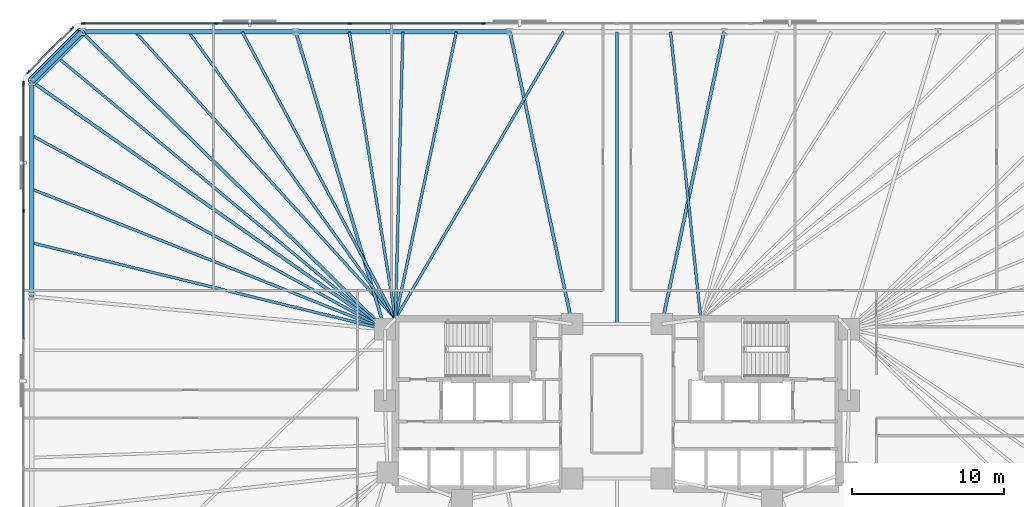
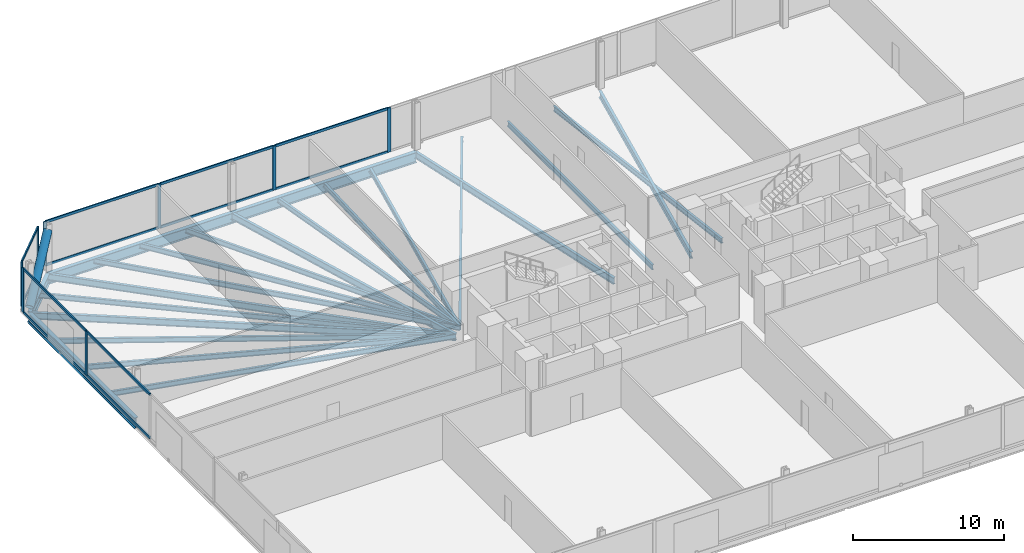
# One storey, part 8 of 17: 22 beams, 21 members, 3 elements without a shape of their own.
"""IFC4 building model written with IfcOpenShell, lengths in metres."""

from ifc_helpers import new_model, si_unit, direction, frame, origin, origin_2d, place, context, subcontext, project, spatial, rectangle, hollow_circle, i_section, extrude, material, material_profile, profile_set, type_object, element, aggregate, save


model = new_model("IFC4")

# Units and contexts
model_context = context("Model", 3, precision=1e-05, world=origin(), true_north=direction((0.0, 1.0)))
body_context = subcontext(model_context, "Body", "Model", "MODEL_VIEW")
ifc_project = project(units=[si_unit("LENGTHUNIT", "METRE"), si_unit("AREAUNIT", "SQUARE_METRE"), si_unit("VOLUMEUNIT", "CUBIC_METRE"), si_unit("PLANEANGLEUNIT", "RADIAN"), si_unit("MASSUNIT", "GRAM", prefix="KILO")], contexts=[model_context])

# Site, building, storey
site_placement = place(None, origin())
site = spatial("IfcSite", under=ifc_project, at=site_placement, CompositionType="ELEMENT")
building_placement = place(site_placement, origin())
building = spatial("IfcBuilding", under=site, at=building_placement, Name="Menara Jurai Vektor", CompositionType="ELEMENT")
storey_placement = place(building_placement, frame((0.0, 0.0, 44.60009765625)))
storey = spatial("IfcBuildingStorey", under=building, at=storey_placement, Name="L10", CompositionType="ELEMENT", Elevation=44.60009765625)

# Curtain wall, members
ifc_material_1 = material(Name="Anodised Pale Aluminium & Low-E Double Glazing", Category="aluminium")
curtain_wall_type = type_object("IfcCurtainWallType", Name="CW-BLK1", PredefinedType="NOTDEFINED", material=ifc_material_1)
curtain_wall_1_placement = place(storey_placement, origin())
curtain_wall_1 = element("IfcCurtainWall", 1, at=curtain_wall_1_placement, inside=storey, type_object=curtain_wall_type, Name="Unitised Curtain Wall L10 F05", PredefinedType="NOTDEFINED")
ifc_material_2 = material(Name="Anodised Pale Aluminium Mullion", Category="aluminium")
ifc_material_profile_1 = material_profile(ifc_material_2, rectangle(XDim=0.094970703125, YDim=0.239990234375, at=origin_2d()), Name="ALU MUL 95x240")
ifc_profile_set_1 = profile_set([ifc_material_profile_1], Name="Anodised Pale Aluminium Mullion")
member_type_1 = type_object("IfcMemberType", Name="CW-BLK1-MUL", PredefinedType="MULLION", material=ifc_profile_set_1)
member_1_placement = place(storey_placement, frame((-8.780029296875, 25.0, 0.0), z_axis=(0.0, 0.0, 1.0), x_axis=(0.0, -1.0, 0.0)))
member_1 = element("IfcMember", 2, at=member_1_placement, type_object=member_type_1, Name="CW-01 mullion 6", PredefinedType="MULLION", context=body_context, shape_type="SweptSolid", body=[
    extrude(rectangle(XDim=0.094970703125, YDim=0.239990234375, at=origin_2d()), origin(), (0.0, 0.0, 1.0), 3.574951171875),
])
member_2_placement = place(storey_placement, frame((-17.56005859375, 25.0, 0.0), z_axis=(0.0, 0.0, 1.0), x_axis=(0.0, -1.0, 0.0)))
member_2 = element("IfcMember", 3, at=member_2_placement, type_object=member_type_1, Name="CW-01 mullion 7", PredefinedType="MULLION", context=body_context, shape_type="SweptSolid", body=[
    extrude(rectangle(XDim=0.094970703125, YDim=0.239990234375, at=origin_2d()), origin(), (0.0, 0.0, 1.0), 3.574951171875),
])
member_3_placement = place(storey_placement, frame((-26.340087890625, 25.0, 0.0), z_axis=(0.0, 0.0, 1.0), x_axis=(0.0, -1.0, 0.0)))
member_3 = element("IfcMember", 4, at=member_3_placement, type_object=member_type_1, Name="CW-01 mullion 8", PredefinedType="MULLION", context=body_context, shape_type="SweptSolid", body=[
    extrude(rectangle(XDim=0.094970703125, YDim=0.239990234375, at=origin_2d()), origin(), (0.0, 0.0, 1.0), 3.574951171875),
])
member_4_placement = place(storey_placement, frame((-35.072509765625, 25.0, 0.0), z_axis=(0.0, 0.0, 1.0), x_axis=(0.0, -1.0, 0.0)))
member_4 = element("IfcMember", 5, at=member_4_placement, type_object=member_type_1, Name="CW-01 mullion 9", PredefinedType="MULLION", context=body_context, shape_type="SweptSolid", body=[
    extrude(rectangle(XDim=0.094970703125, YDim=0.239990234375, at=origin_2d()), origin(), (0.0, 0.0, 1.0), 3.574951171875),
])

curtain_wall_2_placement = place(storey_placement, origin())
curtain_wall_2 = element("IfcCurtainWall", 6, at=curtain_wall_2_placement, inside=storey, type_object=curtain_wall_type, Name="Unitised Curtain Wall L10 F06", PredefinedType="NOTDEFINED")
member_5_placement = place(storey_placement, frame((-35.80224609375, 24.69775390625, 0.0), z_axis=(0.0, 0.0, 1.0), x_axis=(0.707106781187, -0.707106781187, 0.0)))
member_5 = element("IfcMember", 7, at=member_5_placement, type_object=member_type_1, Name="CW-01 mullion 1", PredefinedType="MULLION", context=body_context, shape_type="SweptSolid", body=[
    extrude(rectangle(XDim=0.094970703125, YDim=0.239990234375, at=origin_2d()), origin(), (0.0, 0.0, 1.0), 3.574951171875),
])
member_6_placement = place(storey_placement, frame((-38.69775390625, 21.80224609375, 0.0), z_axis=(0.0, 0.0, 1.0), x_axis=(0.707106781187, -0.707106781187, 0.0)))
member_6 = element("IfcMember", 8, at=member_6_placement, type_object=member_type_1, Name="CW-01 mullion 2", PredefinedType="MULLION", context=body_context, shape_type="SweptSolid", body=[
    extrude(rectangle(XDim=0.094970703125, YDim=0.239990234375, at=origin_2d()), origin(), (0.0, 0.0, 1.0), 3.574951171875),
])

curtain_wall_3_placement = place(storey_placement, origin())
curtain_wall_3 = element("IfcCurtainWall", 9, at=curtain_wall_3_placement, inside=storey, type_object=curtain_wall_type, Name="Unitised Curtain Wall L10 F07", PredefinedType="NOTDEFINED")
member_7_placement = place(storey_placement, frame((-39.0, 21.072509765625, 0.0), z_axis=(0.0, 0.0, 1.0), x_axis=(1.0, 0.0, 0.0)))
member_7 = element("IfcMember", 10, at=member_7_placement, type_object=member_type_1, Name="CW-01 mullion 1", PredefinedType="MULLION", context=body_context, shape_type="SweptSolid", body=[
    extrude(rectangle(XDim=0.094970703125, YDim=0.239990234375, at=origin_2d()), origin(), (0.0, 0.0, 1.0), 3.574951171875),
])
member_8_placement = place(storey_placement, frame((-39.0, 12.672119140625, 0.0), z_axis=(0.0, 0.0, 1.0), x_axis=(1.0, 0.0, 0.0)))
member_8 = element("IfcMember", 11, at=member_8_placement, type_object=member_type_1, Name="CW-01 mullion 2", PredefinedType="MULLION", context=body_context, shape_type="SweptSolid", body=[
    extrude(rectangle(XDim=0.094970703125, YDim=0.239990234375, at=origin_2d()), origin(), (0.0, 0.0, 1.0), 3.574951171875),
])

# Member
ifc_material_3 = material(Name="Anodised Pale Aluminium Transom", Category="aluminium")
ifc_material_profile_2 = material_profile(ifc_material_3, rectangle(XDim=0.094970703125, YDim=0.199951171875, at=origin_2d()), Name="ALU TRN 95x200")
ifc_profile_set_2 = profile_set([ifc_material_profile_2], Name="Anodised Pale Aluminium Transom")
member_type_2 = type_object("IfcMemberType", Name="CW-BLK1-TRN", PredefinedType="USERDEFINED", material=ifc_profile_set_2)
member_9_placement = place(storey_placement, frame((-8.827392578125, 25.0, 0.04736328125), z_axis=(-1.0, 0.0, 0.0), x_axis=(0.0, -1.0, 0.0)))
member_9 = element("IfcMember", 12, at=member_9_placement, type_object=member_type_2, Name="CW-01 transom 6.1", ObjectType="TRANSOM", PredefinedType="USERDEFINED", context=body_context, shape_type="SweptSolid", body=[
    extrude(rectangle(XDim=0.094970703125, YDim=0.199951171875, at=origin_2d()), origin(), (0.0, 0.0, 1.0), 8.68505859375),
])

member_10_placement = place(storey_placement, frame((-8.827392578125, 25.0, 3.52734375), z_axis=(-1.0, 0.0, 0.0), x_axis=(0.0, -1.0, 0.0)))
member_10 = element("IfcMember", 13, at=member_10_placement, type_object=member_type_2, Name="CW-01 transom 6.2", ObjectType="TRANSOM", PredefinedType="USERDEFINED", context=body_context, shape_type="SweptSolid", body=[
    extrude(rectangle(XDim=0.094970703125, YDim=0.199951171875, at=origin_2d()), origin(), (0.0, 0.0, 1.0), 8.68505859375),
])

member_11_placement = place(storey_placement, frame((-17.607421875, 25.0, 0.04736328125), z_axis=(-1.0, 0.0, 0.0), x_axis=(0.0, -1.0, 0.0)))
member_11 = element("IfcMember", 14, at=member_11_placement, type_object=member_type_2, Name="CW-01 transom 7.1", ObjectType="TRANSOM", PredefinedType="USERDEFINED", context=body_context, shape_type="SweptSolid", body=[
    extrude(rectangle(XDim=0.094970703125, YDim=0.199951171875, at=origin_2d()), origin(), (0.0, 0.0, 1.0), 8.68505859375),
])

member_12_placement = place(storey_placement, frame((-17.607421875, 25.0, 3.52734375), z_axis=(-1.0, 0.0, 0.0), x_axis=(0.0, -1.0, 0.0)))
member_12 = element("IfcMember", 15, at=member_12_placement, type_object=member_type_2, Name="CW-01 transom 7.2", ObjectType="TRANSOM", PredefinedType="USERDEFINED", context=body_context, shape_type="SweptSolid", body=[
    extrude(rectangle(XDim=0.094970703125, YDim=0.199951171875, at=origin_2d()), origin(), (0.0, 0.0, 1.0), 8.68505859375),
])

member_13_placement = place(storey_placement, frame((-26.387451171875, 25.0, 0.04736328125), z_axis=(-1.0, 0.0, 0.0), x_axis=(0.0, -1.0, 0.0)))
member_13 = element("IfcMember", 16, at=member_13_placement, type_object=member_type_2, Name="CW-01 transom 8.1", ObjectType="TRANSOM", PredefinedType="USERDEFINED", context=body_context, shape_type="SweptSolid", body=[
    extrude(rectangle(XDim=0.094970703125, YDim=0.199951171875, at=origin_2d()), origin(), (0.0, 0.0, 1.0), 8.637451171875),
])

member_14_placement = place(storey_placement, frame((-26.387451171875, 25.0, 3.52734375), z_axis=(-1.0, 0.0, 0.0), x_axis=(0.0, -1.0, 0.0)))
member_14 = element("IfcMember", 17, at=member_14_placement, type_object=member_type_2, Name="CW-01 transom 8.2", ObjectType="TRANSOM", PredefinedType="USERDEFINED", context=body_context, shape_type="SweptSolid", body=[
    extrude(rectangle(XDim=0.094970703125, YDim=0.199951171875, at=origin_2d()), origin(), (0.0, 0.0, 1.0), 8.637451171875),
])

aggregate(curtain_wall_1, [member_1, member_2, member_3, member_4, member_9, member_10, member_11, member_12, member_13, member_14])

member_15_placement = place(storey_placement, frame((-35.8359375, 24.6640625, 0.04736328125), z_axis=(-0.707106781187, -0.707106781187, 0.0), x_axis=(0.707106781187, -0.707106781187, 0.0)))
member_15 = element("IfcMember", 18, at=member_15_placement, type_object=member_type_2, Name="CW-01 transom 1.1", ObjectType="TRANSOM", PredefinedType="USERDEFINED", context=body_context, shape_type="SweptSolid", body=[
    extrude(rectangle(XDim=0.094970703125, YDim=0.199951171875, at=origin_2d()), origin(), (0.0, 0.0, 1.0), 3.99951171875),
])

member_16_placement = place(storey_placement, frame((-35.8359375, 24.6640625, 3.52734375), z_axis=(-0.707106781187, -0.707106781187, 0.0), x_axis=(0.707106781187, -0.707106781187, 0.0)))
member_16 = element("IfcMember", 19, at=member_16_placement, type_object=member_type_2, Name="CW-01 transom 1.2", ObjectType="TRANSOM", PredefinedType="USERDEFINED", context=body_context, shape_type="SweptSolid", body=[
    extrude(rectangle(XDim=0.094970703125, YDim=0.199951171875, at=origin_2d()), origin(), (0.0, 0.0, 1.0), 3.99951171875),
])

aggregate(curtain_wall_2, [member_5, member_6, member_15, member_16])

member_17_placement = place(storey_placement, frame((-39.0, 21.02490234375, 0.04736328125), z_axis=(0.0, -1.0, 0.0), x_axis=(1.0, 0.0, 0.0)))
member_17 = element("IfcMember", 20, at=member_17_placement, type_object=member_type_2, Name="CW-01 transom 1.1", ObjectType="TRANSOM", PredefinedType="USERDEFINED", context=body_context, shape_type="SweptSolid", body=[
    extrude(rectangle(XDim=0.094970703125, YDim=0.199951171875, at=origin_2d()), origin(), (0.0, 0.0, 1.0), 8.305419921875),
])

member_18_placement = place(storey_placement, frame((-39.0, 21.02490234375, 3.52734375), z_axis=(0.0, -1.0, 0.0), x_axis=(1.0, 0.0, 0.0)))
member_18 = element("IfcMember", 21, at=member_18_placement, type_object=member_type_2, Name="CW-01 transom 1.2", ObjectType="TRANSOM", PredefinedType="USERDEFINED", context=body_context, shape_type="SweptSolid", body=[
    extrude(rectangle(XDim=0.094970703125, YDim=0.199951171875, at=origin_2d()), origin(), (0.0, 0.0, 1.0), 8.305419921875),
])

member_19_placement = place(storey_placement, frame((-39.0, 12.62451171875, 0.04736328125), z_axis=(0.0, -1.0, 0.0), x_axis=(1.0, 0.0, 0.0)))
member_19 = element("IfcMember", 22, at=member_19_placement, type_object=member_type_2, Name="CW-01 transom 2.1", ObjectType="TRANSOM", PredefinedType="USERDEFINED", context=body_context, shape_type="SweptSolid", body=[
    extrude(rectangle(XDim=0.094970703125, YDim=0.199951171875, at=origin_2d()), origin(), (0.0, 0.0, 1.0), 8.35302734375),
])

member_20_placement = place(storey_placement, frame((-39.0, 12.62451171875, 3.52734375), z_axis=(0.0, -1.0, 0.0), x_axis=(1.0, 0.0, 0.0)))
member_20 = element("IfcMember", 23, at=member_20_placement, type_object=member_type_2, Name="CW-01 transom 2.2", ObjectType="TRANSOM", PredefinedType="USERDEFINED", context=body_context, shape_type="SweptSolid", body=[
    extrude(rectangle(XDim=0.094970703125, YDim=0.199951171875, at=origin_2d()), origin(), (0.0, 0.0, 1.0), 8.35302734375),
])

aggregate(curtain_wall_3, [member_7, member_8, member_17, member_18, member_19, member_20])

# Beams
ifc_material_4 = material(Name="Steel S355", Category="steel")
ifc_material_profile_3 = material_profile(ifc_material_4, i_section(OverallWidth=0.2109375, OverallDepth=0.5390625, WebThickness=0.011962890625, FlangeThickness=0.01904296875, FilletRadius=0.012939453125, at=origin_2d()), Name="UKB 533x210x109")
ifc_profile_set_3 = profile_set([ifc_material_profile_3], Name="Steel S355")
beam_type_1 = type_object("IfcBeamType", Name="STR-BM-533", PredefinedType="BEAM", material=ifc_profile_set_3)
for number, where, z_axis, x_axis, name in (
    (24, (7.03564453125, 24.449951171875, -0.49462890625), (-0.2081367579, -0.978099734184, 0.0), (0.978099734184, -0.2081367579, 0.0), "Radial Floor Girder L10-N3"),
    (25, (-7.03564453125, 24.449951171875, -0.49462890625), (0.2081367579, -0.978099734184, 0.0), (0.978099734184, 0.2081367579, 0.0), "Radial Floor Girder L10-N4"),
):
    element("IfcBeam", number, at=place(storey_placement, frame(where, z_axis=z_axis, x_axis=x_axis)), inside=storey, type_object=beam_type_1, Name=name, PredefinedType="BEAM", context=body_context, shape_type="SweptSolid", body=[
        extrude(i_section(OverallWidth=0.2109375, OverallDepth=0.5390625, WebThickness=0.011962890625, FlangeThickness=0.01904296875, FilletRadius=0.012939453125, at=origin_2d()), origin(), (0.0, 0.0, 1.0), 19.6298828125),
    ])
beam_1_placement = place(storey_placement, frame((-21.106689453125, 24.449951171875, -0.49462890625), z_axis=(0.286973617166, -0.957938486047, 0.0), x_axis=(0.957938486047, 0.286973617166, 0.0)))
element("IfcBeam", 26, at=beam_1_placement, inside=storey, type_object=beam_type_1, Name="Radial Floor Girder L10-N5", PredefinedType="BEAM", context=body_context, shape_type="SweptSolid", body=[
    extrude(i_section(OverallWidth=0.2109375, OverallDepth=0.5390625, WebThickness=0.011962890625, FlangeThickness=0.01904296875, FilletRadius=0.012939453125, at=origin_2d()), origin(), (0.0, 0.0, 1.0), 20.408447265625),
])
beam_2_placement = place(storey_placement, frame((-35.177734375, 24.449951171875, -0.49462890625), z_axis=(0.713839032855, -0.700309813706, 0.0), x_axis=(0.700309813706, 0.713839032855, 0.0)))
element("IfcBeam", 27, at=beam_2_placement, inside=storey, type_object=beam_type_1, Name="Radial Floor Girder L10-N6", PredefinedType="BEAM", context=body_context, shape_type="SweptSolid", body=[
    extrude(i_section(OverallWidth=0.2109375, OverallDepth=0.5390625, WebThickness=0.011962890625, FlangeThickness=0.01904296875, FilletRadius=0.012939453125, at=origin_2d()), origin(), (0.0, 0.0, 1.0), 27.916259765625),
])
beam_3_placement = place(storey_placement, frame((-38.449951171875, 21.177734375, -0.49462890625), z_axis=(0.818603732445, -0.574358711283, 0.0), x_axis=(0.574358711283, 0.818603732445, 0.0)))
element("IfcBeam", 28, at=beam_3_placement, inside=storey, type_object=beam_type_1, Name="Radial Floor Girder L10-W1", PredefinedType="BEAM", context=body_context, shape_type="SweptSolid", body=[
    extrude(i_section(OverallWidth=0.2109375, OverallDepth=0.5390625, WebThickness=0.011962890625, FlangeThickness=0.01904296875, FilletRadius=0.012939453125, at=origin_2d()), origin(), (0.0, 0.0, 1.0), 28.3408203125),
])

# Member
ifc_material_5 = material(Name="Steel S460", Category="steel")
ifc_material_profile_4 = material_profile(ifc_material_5, hollow_circle(Radius=0.304931640625, WallThickness=0.02490234375, at=origin_2d()), Name="CHS 610x25")
ifc_profile_set_4 = profile_set([ifc_material_profile_4], Name="Steel S460")
member_type_3 = type_object("IfcMemberType", Name="STR-BR-610", PredefinedType="BRACE", material=ifc_profile_set_4)
member_21_placement = place(storey_placement, frame((-38.449951171875, 21.177734375, 0.14990234375), z_axis=(0.588942422958, 0.588942422958, 0.553438022619), x_axis=(-0.707106781187, 0.707106781187, 0.0)))
element("IfcMember", 29, at=member_21_placement, inside=storey, type_object=member_type_3, Name="Exoskeleton Corner Brace L10-3", PredefinedType="BRACE", context=body_context, shape_type="SweptSolid", body=[
    extrude(hollow_circle(Radius=0.304931640625, WallThickness=0.02490234375, at=origin_2d()), origin(), (0.0, 0.0, 1.0), 5.55615234375),
])

# Beams
ifc_material_profile_5 = material_profile(ifc_material_4, i_section(OverallWidth=0.178955078125, OverallDepth=0.408935546875, WebThickness=0.009033203125, FlangeThickness=0.013916015625, FilletRadius=0.010009765625, at=origin_2d()), Name="UKB 406x178x67")
ifc_profile_set_5 = profile_set([ifc_material_profile_5], Name="Steel S355")
beam_type_2 = type_object("IfcBeamType", Name="STR-JS-406", PredefinedType="JOIST", material=ifc_profile_set_5)
beam_4_placement = place(storey_placement, frame((3.517822265625, 24.449951171875, -0.4296875), z_axis=(0.104579513969, -0.994516528399, 0.0), x_axis=(0.994516528399, 0.104579513969, 0.0)))
element("IfcBeam", 30, at=beam_4_placement, inside=storey, type_object=beam_type_2, Name="Radial Secondary Floor Joist L10-JS22", PredefinedType="JOIST", context=body_context, shape_type="SweptSolid", body=[
    extrude(i_section(OverallWidth=0.178955078125, OverallDepth=0.408935546875, WebThickness=0.009033203125, FlangeThickness=0.013916015625, FilletRadius=0.010009765625, at=origin_2d()), origin(), (0.0, 0.0, 1.0), 18.953857421875),
])
beam_5_placement = place(storey_placement, frame((0.0, 24.449951171875, -0.4296875), z_axis=(0.0, -1.0, 0.0), x_axis=(1.0, 0.0, 0.0)))
element("IfcBeam", 31, at=beam_5_placement, inside=storey, type_object=beam_type_2, Name="Radial Secondary Floor Joist L10-JS23", PredefinedType="JOIST", context=body_context, shape_type="SweptSolid", body=[
    extrude(i_section(OverallWidth=0.178955078125, OverallDepth=0.408935546875, WebThickness=0.009033203125, FlangeThickness=0.013916015625, FilletRadius=0.010009765625, at=origin_2d()), origin(), (0.0, 0.0, 1.0), 19.199951171875),
])
beam_6_placement = place(storey_placement, frame((-3.517822265625, 24.449951171875, -0.4296875), z_axis=(-0.505457909797, -0.862851262631, 0.0), x_axis=(0.862851262631, -0.505457909797, 0.0)))
element("IfcBeam", 32, at=beam_6_placement, inside=storey, type_object=beam_type_2, Name="Radial Secondary Floor Joist L10-JS24", PredefinedType="JOIST", context=body_context, shape_type="SweptSolid", body=[
    extrude(i_section(OverallWidth=0.178955078125, OverallDepth=0.408935546875, WebThickness=0.009033203125, FlangeThickness=0.013916015625, FilletRadius=0.010009765625, at=origin_2d()), origin(), (0.0, 0.0, 1.0), 21.845947265625),
])
beam_7_placement = place(storey_placement, frame((-10.55322265625, 24.449951171875, -0.4296875), z_axis=(-0.207920423262, -0.978145744555, 0.0), x_axis=(0.978145744555, -0.207920423262, 0.0)))
element("IfcBeam", 33, at=beam_7_placement, inside=storey, type_object=beam_type_2, Name="Radial Secondary Floor Joist L10-JS25", PredefinedType="JOIST", context=body_context, shape_type="SweptSolid", body=[
    extrude(i_section(OverallWidth=0.178955078125, OverallDepth=0.408935546875, WebThickness=0.009033203125, FlangeThickness=0.013916015625, FilletRadius=0.010009765625, at=origin_2d()), origin(), (0.0, 0.0, 1.0), 19.27099609375),
])
beam_8_placement = place(storey_placement, frame((-14.071044921875, 24.449951171875, -0.4296875), z_axis=(-0.02593384597, -0.999663661255, 0.0), x_axis=(0.999663661255, -0.02593384597, 0.0)))
element("IfcBeam", 34, at=beam_8_placement, inside=storey, type_object=beam_type_2, Name="Radial Secondary Floor Joist L10-JS26", PredefinedType="JOIST", context=body_context, shape_type="SweptSolid", body=[
    extrude(i_section(OverallWidth=0.178955078125, OverallDepth=0.408935546875, WebThickness=0.009033203125, FlangeThickness=0.013916015625, FilletRadius=0.010009765625, at=origin_2d()), origin(), (0.0, 0.0, 1.0), 18.856201171875),
])
beam_9_placement = place(storey_placement, frame((-17.5888671875, 24.449951171875, -0.4296875), z_axis=(0.158645817656, -0.987335558227, 0.0), x_axis=(0.987335558227, 0.158645817656, 0.0)))
element("IfcBeam", 35, at=beam_9_placement, inside=storey, type_object=beam_type_2, Name="Radial Secondary Floor Joist L10-JS27", PredefinedType="JOIST", context=body_context, shape_type="SweptSolid", body=[
    extrude(i_section(OverallWidth=0.178955078125, OverallDepth=0.408935546875, WebThickness=0.009033203125, FlangeThickness=0.013916015625, FilletRadius=0.010009765625, at=origin_2d()), origin(), (0.0, 0.0, 1.0), 19.091552734375),
])
beam_10_placement = place(storey_placement, frame((-24.62451171875, 24.449951171875, -0.4296875), z_axis=(0.470996174599, -0.882135252392, 0.0), x_axis=(0.882135252392, 0.470996174599, 0.0)))
element("IfcBeam", 36, at=beam_10_placement, inside=storey, type_object=beam_type_2, Name="Radial Secondary Floor Joist L10-JS28", PredefinedType="JOIST", context=body_context, shape_type="SweptSolid", body=[
    extrude(i_section(OverallWidth=0.178955078125, OverallDepth=0.408935546875, WebThickness=0.009033203125, FlangeThickness=0.013916015625, FilletRadius=0.010009765625, at=origin_2d()), origin(), (0.0, 0.0, 1.0), 21.368408203125),
])
beam_11_placement = place(storey_placement, frame((-28.142333984375, 24.449951171875, -0.4296875), z_axis=(0.584598948369, -0.811322420229, 0.0), x_axis=(0.811322420229, 0.584598948369, 0.0)))
element("IfcBeam", 37, at=beam_11_placement, inside=storey, type_object=beam_type_2, Name="Radial Secondary Floor Joist L10-JS29", PredefinedType="JOIST", context=body_context, shape_type="SweptSolid", body=[
    extrude(i_section(OverallWidth=0.178955078125, OverallDepth=0.408935546875, WebThickness=0.009033203125, FlangeThickness=0.013916015625, FilletRadius=0.010009765625, at=origin_2d()), origin(), (0.0, 0.0, 1.0), 23.2333984375),
])
beam_12_placement = place(storey_placement, frame((-31.659912109375, 24.449951171875, -0.4296875), z_axis=(0.671889844346, -0.740651089964, 0.0), x_axis=(0.740651089964, 0.671889844346, 0.0)))
element("IfcBeam", 38, at=beam_12_placement, inside=storey, type_object=beam_type_2, Name="Radial Secondary Floor Joist L10-JS30", PredefinedType="JOIST", context=body_context, shape_type="SweptSolid", body=[
    extrude(i_section(OverallWidth=0.178955078125, OverallDepth=0.408935546875, WebThickness=0.009033203125, FlangeThickness=0.013916015625, FilletRadius=0.010009765625, at=origin_2d()), origin(), (0.0, 0.0, 1.0), 25.450439453125),
])
beam_13_placement = place(storey_placement, frame((-36.81396484375, 22.81396484375, -0.4296875), z_axis=(0.769201173096, -0.639006694259, 0.0), x_axis=(0.639006694259, 0.769201173096, 0.0)))
element("IfcBeam", 39, at=beam_13_placement, inside=storey, type_object=beam_type_2, Name="Radial Secondary Floor Joist L10-JS31", PredefinedType="JOIST", context=body_context, shape_type="SweptSolid", body=[
    extrude(i_section(OverallWidth=0.178955078125, OverallDepth=0.408935546875, WebThickness=0.009033203125, FlangeThickness=0.013916015625, FilletRadius=0.010009765625, at=origin_2d()), origin(), (0.0, 0.0, 1.0), 28.0341796875),
])
beam_14_placement = place(storey_placement, frame((-38.449951171875, 17.648193359375, -0.4296875), z_axis=(0.87640219057, -0.481579900291, 0.0), x_axis=(0.481579900291, 0.87640219057, 0.0)))
element("IfcBeam", 40, at=beam_14_placement, inside=storey, type_object=beam_type_2, Name="Radial Secondary Floor Joist L10-JS32", PredefinedType="JOIST", context=body_context, shape_type="SweptSolid", body=[
    extrude(i_section(OverallWidth=0.178955078125, OverallDepth=0.408935546875, WebThickness=0.009033203125, FlangeThickness=0.013916015625, FilletRadius=0.010009765625, at=origin_2d()), origin(), (0.0, 0.0, 1.0), 26.471923828125),
])
beam_15_placement = place(storey_placement, frame((-38.449951171875, 14.118408203125, -0.4296875), z_axis=(0.929323400723, -0.369266864027, 0.0), x_axis=(0.369266864027, 0.929323400723, 0.0)))
element("IfcBeam", 41, at=beam_15_placement, inside=storey, type_object=beam_type_2, Name="Radial Secondary Floor Joist L10-JS33", PredefinedType="JOIST", context=body_context, shape_type="SweptSolid", body=[
    extrude(i_section(OverallWidth=0.178955078125, OverallDepth=0.408935546875, WebThickness=0.009033203125, FlangeThickness=0.013916015625, FilletRadius=0.010009765625, at=origin_2d()), origin(), (0.0, 0.0, 1.0), 24.96435546875),
])
beam_16_placement = place(storey_placement, frame((-38.449951171875, 10.5888671875, -0.4296875), z_axis=(0.971226234641, -0.238158772976, 0.0), x_axis=(0.238158772976, 0.971226234641, 0.0)))
element("IfcBeam", 42, at=beam_16_placement, inside=storey, type_object=beam_type_2, Name="Radial Secondary Floor Joist L10-JS34", PredefinedType="JOIST", context=body_context, shape_type="SweptSolid", body=[
    extrude(i_section(OverallWidth=0.178955078125, OverallDepth=0.408935546875, WebThickness=0.009033203125, FlangeThickness=0.013916015625, FilletRadius=0.010009765625, at=origin_2d()), origin(), (0.0, 0.0, 1.0), 23.88720703125),
])
ifc_material_profile_6 = material_profile(ifc_material_5, i_section(OverallWidth=0.2939453125, OverallDepth=0.85107421875, WebThickness=0.01611328125, FlangeThickness=0.027099609375, FilletRadius=0.01806640625, at=origin_2d()), Name="UKB 838x292x226")
ifc_profile_set_6 = profile_set([ifc_material_profile_6], Name="Steel S460")
beam_type_3 = type_object("IfcBeamType", Name="STR-SP-838", PredefinedType="SPANDREL", material=ifc_profile_set_6)
for number, where, z_axis, x_axis, name in (
    (43, (-7.03564453125, 24.449951171875, -0.650634765625), (-1.0, 0.0, 0.0), (0.0, -1.0, 0.0), "Exoskeleton Spandrel Beam L10-14"),
    (44, (-21.106689453125, 24.449951171875, -0.650634765625), (-1.0, 0.0, 0.0), (0.0, -1.0, 0.0), "Exoskeleton Spandrel Beam L10-15"),
):
    element("IfcBeam", number, at=place(storey_placement, frame(where, z_axis=z_axis, x_axis=x_axis)), inside=storey, type_object=beam_type_3, Name=name, PredefinedType="SPANDREL", context=body_context, shape_type="SweptSolid", body=[
        extrude(i_section(OverallWidth=0.2939453125, OverallDepth=0.85107421875, WebThickness=0.01611328125, FlangeThickness=0.027099609375, FilletRadius=0.01806640625, at=origin_2d()), origin(), (0.0, 0.0, 1.0), 14.071044921875),
    ])
beam_17_placement = place(storey_placement, frame((-35.177734375, 24.449951171875, -0.650634765625), z_axis=(-0.707106781187, -0.707106781187, 0.0), x_axis=(0.707106781187, -0.707106781187, 0.0)))
element("IfcBeam", 45, at=beam_17_placement, inside=storey, type_object=beam_type_3, Name="Exoskeleton Spandrel Beam L10-16", PredefinedType="SPANDREL", context=body_context, shape_type="SweptSolid", body=[
    extrude(i_section(OverallWidth=0.2939453125, OverallDepth=0.85107421875, WebThickness=0.01611328125, FlangeThickness=0.027099609375, FilletRadius=0.01806640625, at=origin_2d()), origin(), (0.0, 0.0, 1.0), 4.627685546875),
])
beam_18_placement = place(storey_placement, frame((-38.449951171875, 21.177734375, -0.650634765625), z_axis=(0.0, -1.0, 0.0), x_axis=(1.0, 0.0, 0.0)))
element("IfcBeam", 46, at=beam_18_placement, inside=storey, type_object=beam_type_3, Name="Exoskeleton Spandrel Beam L10-17", PredefinedType="SPANDREL", context=body_context, shape_type="SweptSolid", body=[
    extrude(i_section(OverallWidth=0.2939453125, OverallDepth=0.85107421875, WebThickness=0.01611328125, FlangeThickness=0.027099609375, FilletRadius=0.01806640625, at=origin_2d()), origin(), (0.0, 0.0, 1.0), 14.118408203125),
])

save(model, "model.ifc")
